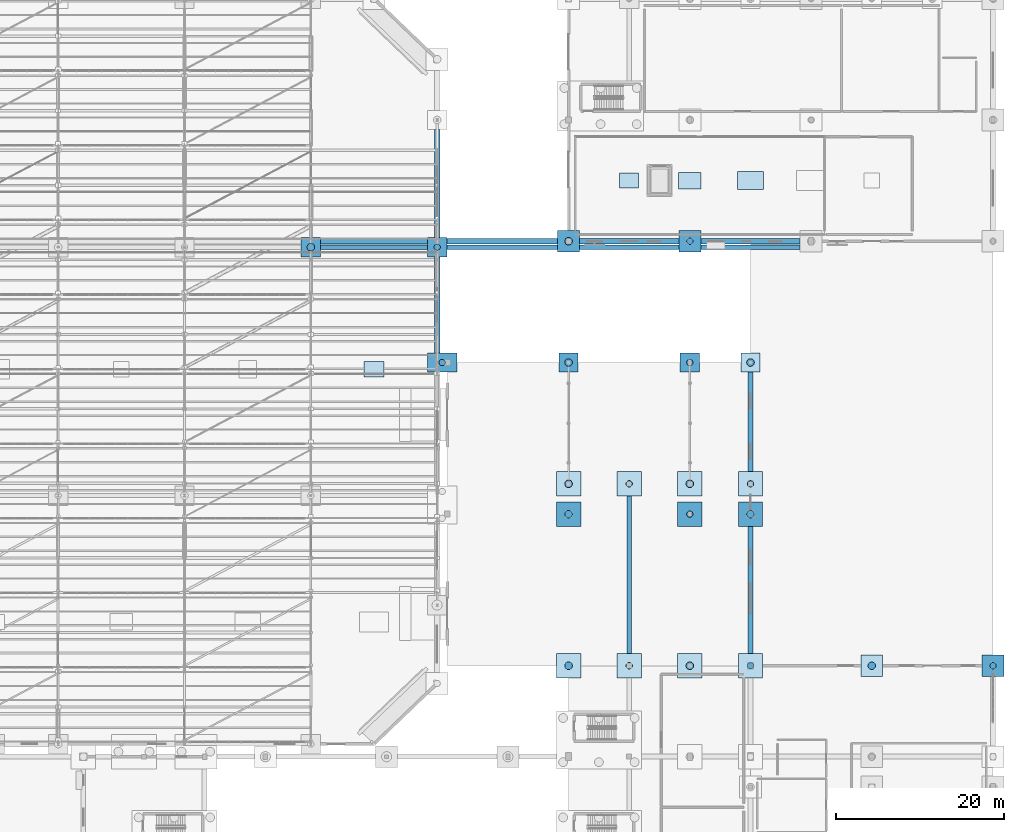
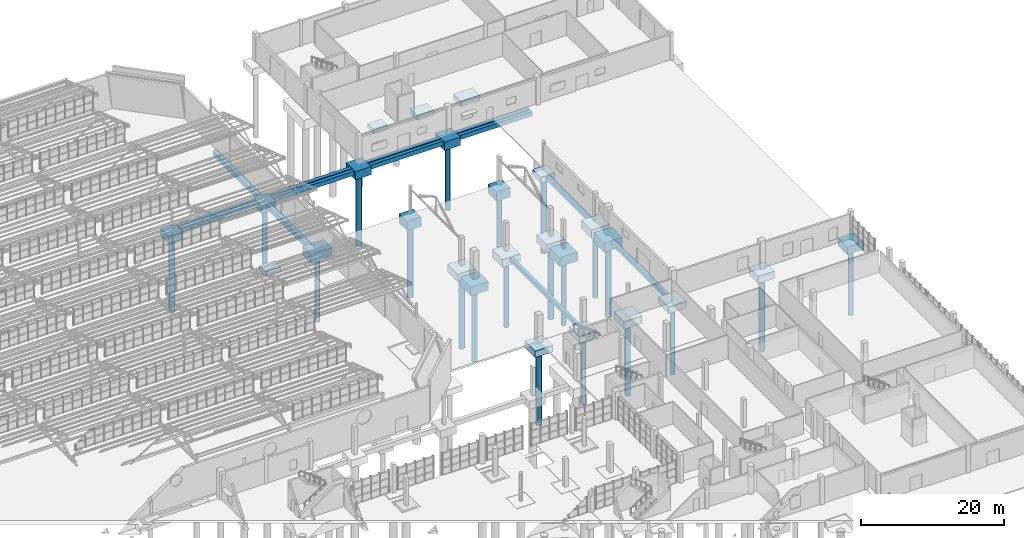
# One storey, part 9 of 285: 38 footings, 21 piles.
"""IFC4 building model written with IfcOpenShell, lengths in metres."""

from ifc_helpers import new_model, si_unit, direction, frame, origin, origin_2d, place, context, subcontext, project, spatial, polyline, circle, outline, extrude, material, material_profile, profile_set, type_object, element, save


model = new_model("IFC4")

# Units and contexts
model_context = context("Model", 3, precision=1e-05, world=origin(), true_north=direction((0.0, 1.0)))
body_context = subcontext(model_context, "Body", "Model", "MODEL_VIEW")
ifc_project = project(units=[si_unit("LENGTHUNIT", "METRE"), si_unit("AREAUNIT", "SQUARE_METRE"), si_unit("VOLUMEUNIT", "CUBIC_METRE"), si_unit("PLANEANGLEUNIT", "RADIAN"), si_unit("MASSUNIT", "GRAM", prefix="KILO")], contexts=[model_context])

# Site, building, storey
site_placement = place(None, origin())
site = spatial("IfcSite", under=ifc_project, at=site_placement, CompositionType="ELEMENT")
building_placement = place(site_placement, origin())
building = spatial("IfcBuilding", under=site, at=building_placement, Name="Solanera Park Tramway Depot", CompositionType="ELEMENT")
storey_placement = place(building_placement, origin())
storey = spatial("IfcBuildingStorey", under=building, at=storey_placement, Name="L00", CompositionType="ELEMENT", Elevation=0.0)

# Footings
ifc_material_1 = material(Name="Concrete N40 (C40/50)", Category="concrete")
footing_type_1 = type_object("IfcFootingType", Name="Bored Pile Cap PC-03 2900x2900x1100", PredefinedType="PILE_CAP", material=ifc_material_1)
footing_1_placement = place(storey_placement, frame((0.0, 0.0, -1.449951171875)))
element("IfcFooting", 1, at=footing_1_placement, inside=storey, type_object=footing_type_1, Name="Pile Cap PC-03 #128", PredefinedType="PILE_CAP", context=body_context, shape_type="SweptSolid", body=[
    extrude(outline(polyline([(167.050048828125, 63.35009765625), (167.050048828125, 66.25), (164.14990234375, 66.25), (164.14990234375, 63.35009765625), (167.050048828125, 63.35009765625)])), origin(), (0.0, 0.0, 1.0), 1.099853515625),
])
ifc_material_2 = material(Name="Concrete N40 (C40/50)", Category="concrete")
footing_type_2 = type_object("IfcFootingType", Name="Bored Pile Cap PC-04 3200x3200x1200", PredefinedType="PILE_CAP", material=ifc_material_2)
footing_2_placement = place(storey_placement, frame((0.0, 0.0, -1.550048828125)))
element("IfcFooting", 2, at=footing_2_placement, inside=storey, type_object=footing_type_2, Name="Pile Cap PC-04 #129", PredefinedType="PILE_CAP", context=body_context, shape_type="SweptSolid", body=[
    extrude(outline(polyline([(174.25, 63.35009765625), (174.25, 66.25), (171.35009765625, 66.25), (171.35009765625, 63.35009765625), (174.25, 63.35009765625)])), origin(), (0.0, 0.0, 1.0), 1.199951171875),
])
ifc_material_3 = material(Name="Concrete N40 (C40/50)", Category="concrete")
footing_type_3 = type_object("IfcFootingType", Name="Bored Pile Cap PC-05 3500x3500x1300", PredefinedType="PILE_CAP", material=ifc_material_3)
footing_3_placement = place(storey_placement, frame((0.0, 0.0, -1.64990234375)))
element("IfcFooting", 3, at=footing_3_placement, inside=storey, type_object=footing_type_3, Name="Pile Cap PC-05 #130", PredefinedType="PILE_CAP", context=body_context, shape_type="SweptSolid", body=[
    extrude(outline(polyline([(181.449951171875, 63.35009765625), (181.449951171875, 66.25), (178.550048828125, 66.25), (178.550048828125, 63.35009765625), (181.449951171875, 63.35009765625)])), origin(), (0.0, 0.0, 1.0), 1.2998046875),
])
ifc_material_4 = material(Name="Concrete N40 (C40/50)", Category="concrete")
footing_type_4 = type_object("IfcFootingType", Name="Bored Pile Cap PC-06 3800x2600x1150", PredefinedType="PILE_CAP", material=ifc_material_4)
footing_4_placement = place(storey_placement, frame((0.0, 0.0, -1.5)))
element("IfcFooting", 4, at=footing_4_placement, inside=storey, type_object=footing_type_4, Name="Pile Cap PC-06 #131", PredefinedType="PILE_CAP", context=body_context, shape_type="SweptSolid", body=[
    extrude(outline(polyline([(188.64990234375, 63.35009765625), (188.64990234375, 66.25), (185.75, 66.25), (185.75, 63.35009765625), (188.64990234375, 63.35009765625)])), origin(), (0.0, 0.0, 1.0), 1.14990234375),
])
ifc_material_5 = material(Name="Concrete N40 (C40/50)", Category="concrete")
footing_type_5 = type_object("IfcFootingType", Name="Bored Pile Cap PC-07 4200x2900x1250", PredefinedType="PILE_CAP", material=ifc_material_5)
footing_5_placement = place(storey_placement, frame((0.0, 0.0, -1.550048828125)))
element("IfcFooting", 5, at=footing_5_placement, inside=storey, type_object=footing_type_5, Name="Pile Cap PC-07 #132", PredefinedType="PILE_CAP", context=body_context, shape_type="SweptSolid", body=[
    extrude(outline(polyline([(202.89990234375, 63.5), (202.89990234375, 66.10009765625), (200.300048828125, 66.10009765625), (200.300048828125, 63.5), (202.89990234375, 63.5)])), origin(), (0.0, 0.0, 1.0), 1.25),
])
footing_6_placement = place(storey_placement, frame((0.0, 0.0, -1.574951171875)))
element("IfcFooting", 6, at=footing_6_placement, inside=storey, type_object=footing_type_5, Name="Pile Cap PC-07 #150", PredefinedType="PILE_CAP", context=body_context, shape_type="SweptSolid", body=[
    extrude(outline(polyline([(167.050048828125, 84.949951171875), (167.050048828125, 87.85009765625), (164.14990234375, 87.85009765625), (164.14990234375, 84.949951171875), (167.050048828125, 84.949951171875)])), origin(), (0.0, 0.0, 1.0), 1.25),
])
footing_7_placement = place(storey_placement, frame((0.0, 0.0, -1.699951171875)))
element("IfcFooting", 7, at=footing_7_placement, inside=storey, type_object=footing_type_5, Name="Pile Cap PC-07 #168", PredefinedType="PILE_CAP", context=body_context, shape_type="SweptSolid", body=[
    extrude(outline(polyline([(136.14990234375, 113.35009765625), (136.14990234375, 115.64990234375), (133.85009765625, 115.64990234375), (133.85009765625, 113.35009765625), (136.14990234375, 113.35009765625)])), origin(), (0.0, 0.0, 1.0), 1.25),
])
ifc_material_6 = material(Name="Concrete N40 (C40/50)", Category="concrete")
footing_type_6 = type_object("IfcFootingType", Name="Bored Pile Cap PC-08 4600x3200x1350", PredefinedType="PILE_CAP", material=ifc_material_6)
footing_8_placement = place(storey_placement, frame((0.0, 0.0, -1.64990234375)))
element("IfcFooting", 8, at=footing_8_placement, inside=storey, type_object=footing_type_6, Name="Pile Cap PC-08 #133", PredefinedType="PILE_CAP", context=body_context, shape_type="SweptSolid", body=[
    extrude(outline(polyline([(217.300048828125, 63.5), (217.300048828125, 66.10009765625), (214.699951171875, 66.10009765625), (214.699951171875, 63.5), (217.300048828125, 63.5)])), origin(), (0.0, 0.0, 1.0), 1.349853515625),
])
footing_9_placement = place(storey_placement, frame((0.0, 0.0, -1.675048828125)))
element("IfcFooting", 9, at=footing_9_placement, inside=storey, type_object=footing_type_6, Name="Pile Cap PC-08 #151", PredefinedType="PILE_CAP", context=body_context, shape_type="SweptSolid", body=[
    extrude(outline(polyline([(174.25, 84.949951171875), (174.25, 87.85009765625), (171.35009765625, 87.85009765625), (171.35009765625, 84.949951171875), (174.25, 84.949951171875)])), origin(), (0.0, 0.0, 1.0), 1.35009765625),
])
footing_10_placement = place(storey_placement, frame((0.0, 0.0, -1.800048828125)))
element("IfcFooting", 10, at=footing_10_placement, inside=storey, type_object=footing_type_6, Name="Pile Cap PC-08 #169", PredefinedType="PILE_CAP", context=body_context, shape_type="SweptSolid", body=[
    extrude(outline(polyline([(151.14990234375, 113.35009765625), (151.14990234375, 115.64990234375), (148.85009765625, 115.64990234375), (148.85009765625, 113.35009765625), (151.14990234375, 113.35009765625)])), origin(), (0.0, 0.0, 1.0), 1.35009765625),
])
ifc_material_7 = material(Name="Concrete N40 (C40/50)", Category="concrete")
footing_type_7 = type_object("IfcFootingType", Name="Bored Pile Cap PC-09 5200x3400x1400", PredefinedType="PILE_CAP", material=ifc_material_7)
footing_11_placement = place(storey_placement, frame((0.0, 0.0, -1.72509765625)))
element("IfcFooting", 11, at=footing_11_placement, inside=storey, type_object=footing_type_7, Name="Pile Cap PC-09 #152", PredefinedType="PILE_CAP", context=body_context, shape_type="SweptSolid", body=[
    extrude(outline(polyline([(181.449951171875, 84.949951171875), (181.449951171875, 87.85009765625), (178.550048828125, 87.85009765625), (178.550048828125, 84.949951171875), (181.449951171875, 84.949951171875)])), origin(), (0.0, 0.0, 1.0), 1.400146484375),
])
footing_12_placement = place(storey_placement, frame((0.0, 0.0, -1.77490234375)))
element("IfcFooting", 12, at=footing_12_placement, inside=storey, type_object=footing_type_7, Name="Pile Cap PC-09 #170", PredefinedType="PILE_CAP", context=body_context, shape_type="SweptSolid", body=[
    extrude(outline(polyline([(166.89990234375, 113.89990234375), (166.89990234375, 116.5), (164.300048828125, 116.5), (164.300048828125, 113.89990234375), (166.89990234375, 113.89990234375)])), origin(), (0.0, 0.0, 1.0), 1.39990234375),
])
ifc_material_8 = material(Name="Concrete N40 (C40/50)", Category="concrete")
footing_type_8 = type_object("IfcFootingType", Name="Bored Pile Cap PC-10 5800x3800x1450", PredefinedType="PILE_CAP", material=ifc_material_8)
footing_13_placement = place(storey_placement, frame((0.0, 0.0, -1.77490234375)))
element("IfcFooting", 13, at=footing_13_placement, inside=storey, type_object=footing_type_8, Name="Pile Cap PC-10 #153", PredefinedType="PILE_CAP", context=body_context, shape_type="SweptSolid", body=[
    extrude(outline(polyline([(188.64990234375, 84.949951171875), (188.64990234375, 87.85009765625), (185.75, 87.85009765625), (185.75, 84.949951171875), (188.64990234375, 84.949951171875)])), origin(), (0.0, 0.0, 1.0), 1.449951171875),
])
footing_14_placement = place(storey_placement, frame((0.0, 0.0, -1.824951171875)))
element("IfcFooting", 14, at=footing_14_placement, inside=storey, type_object=footing_type_8, Name="Pile Cap PC-10 #171", PredefinedType="PILE_CAP", context=body_context, shape_type="SweptSolid", body=[
    extrude(outline(polyline([(181.300048828125, 113.89990234375), (181.300048828125, 116.5), (178.699951171875, 116.5), (178.699951171875, 113.89990234375), (181.300048828125, 113.89990234375)])), origin(), (0.0, 0.0, 1.0), 1.449951171875),
])
ifc_material_9 = material(Name="Concrete N40 (C40/50)", Category="concrete")
footing_type_9 = type_object("IfcFootingType", Name="Bored Pile Cap PC-11 6500x4200x1500", PredefinedType="PILE_CAP", material=ifc_material_9)
footing_15_placement = place(storey_placement, frame((0.0, 0.0, -1.824951171875)))
element("IfcFooting", 15, at=footing_15_placement, inside=storey, type_object=footing_type_9, Name="Pile Cap PC-11 #136", PredefinedType="PILE_CAP", context=body_context, shape_type="SweptSolid", body=[
    extrude(outline(polyline([(167.050048828125, 81.35009765625), (167.050048828125, 84.25), (164.14990234375, 84.25), (164.14990234375, 81.35009765625), (167.050048828125, 81.35009765625)])), origin(), (0.0, 0.0, 1.0), 1.5),
])
ifc_material_10 = material(Name="Concrete N40 (C40/50)", Category="concrete")
footing_type_10 = type_object("IfcFootingType", Name="Bored Pile Cap PC-12 7400x4500x1550", PredefinedType="PILE_CAP", material=ifc_material_10)
footing_16_placement = place(storey_placement, frame((0.0, 0.0, -1.875)))
element("IfcFooting", 16, at=footing_16_placement, inside=storey, type_object=footing_type_10, Name="Pile Cap PC-12 #137", PredefinedType="PILE_CAP", context=body_context, shape_type="SweptSolid", body=[
    extrude(outline(polyline([(181.449951171875, 81.35009765625), (181.449951171875, 84.25), (178.550048828125, 84.25), (178.550048828125, 81.35009765625), (181.449951171875, 81.35009765625)])), origin(), (0.0, 0.0, 1.0), 1.550048828125),
])
footing_17_placement = place(storey_placement, frame((0.0, 0.0, -2.0)))
element("IfcFooting", 17, at=footing_17_placement, inside=storey, type_object=footing_type_10, Name="Pile Cap PC-12 #155", PredefinedType="PILE_CAP", context=body_context, shape_type="SweptSolid", body=[
    extrude(outline(polyline([(152.35009765625, 99.64990234375), (152.35009765625, 101.949951171875), (148.85009765625, 101.949951171875), (148.85009765625, 99.64990234375), (152.35009765625, 99.64990234375)])), origin(), (0.0, 0.0, 1.0), 1.550048828125),
])
ifc_material_11 = material(Name="Concrete N40 (C40/50)", Category="concrete")
footing_type_11 = type_object("IfcFootingType", Name="Bored Pile Cap PC-13 8400x4800x1600", PredefinedType="PILE_CAP", material=ifc_material_11)
footing_18_placement = place(storey_placement, frame((0.0, 0.0, -1.925048828125)))
element("IfcFooting", 18, at=footing_18_placement, inside=storey, type_object=footing_type_11, Name="Pile Cap PC-13 #138", PredefinedType="PILE_CAP", context=body_context, shape_type="SweptSolid", body=[
    extrude(outline(polyline([(188.64990234375, 81.35009765625), (188.64990234375, 84.25), (185.75, 84.25), (185.75, 81.35009765625), (188.64990234375, 81.35009765625)])), origin(), (0.0, 0.0, 1.0), 1.60009765625),
])
footing_19_placement = place(storey_placement, frame((0.0, 0.0, -1.925048828125)))
element("IfcFooting", 19, at=footing_19_placement, inside=storey, type_object=footing_type_11, Name="Pile Cap PC-13 #156", PredefinedType="PILE_CAP", context=body_context, shape_type="SweptSolid", body=[
    extrude(outline(polyline([(166.75, 99.64990234375), (166.75, 101.949951171875), (164.449951171875, 101.949951171875), (164.449951171875, 99.64990234375), (166.75, 99.64990234375)])), origin(), (0.0, 0.0, 1.0), 1.60009765625),
])
ifc_material_12 = material(Name="Concrete N40 (C40/50)", Category="concrete")
footing_type_12 = type_object("IfcFootingType", Name="Bored Pile Cap PC-14 9600x5200x1600", PredefinedType="PILE_CAP", material=ifc_material_12)
footing_20_placement = place(storey_placement, frame((0.0, 0.0, -1.925048828125)))
element("IfcFooting", 20, at=footing_20_placement, inside=storey, type_object=footing_type_12, Name="Pile Cap PC-14 #157", PredefinedType="PILE_CAP", context=body_context, shape_type="SweptSolid", body=[
    extrude(outline(polyline([(181.14990234375, 99.64990234375), (181.14990234375, 101.949951171875), (178.85009765625, 101.949951171875), (178.85009765625, 99.64990234375), (181.14990234375, 99.64990234375)])), origin(), (0.0, 0.0, 1.0), 1.60009765625),
])
ifc_material_13 = material(Name="Concrete N40 (C40/50)", Category="concrete")
footing_type_13 = type_object("IfcFootingType", Name="Bored Pile Cap PC-15 2750x2750x1050", PredefinedType="PILE_CAP", material=ifc_material_13)
footing_21_placement = place(storey_placement, frame((0.0, 0.0, -1.375)))
element("IfcFooting", 21, at=footing_21_placement, inside=storey, type_object=footing_type_13, Name="Pile Cap PC-15 #158", PredefinedType="PILE_CAP", context=body_context, shape_type="SweptSolid", body=[
    extrude(outline(polyline([(188.35009765625, 99.64990234375), (188.35009765625, 101.949951171875), (186.050048828125, 101.949951171875), (186.050048828125, 99.64990234375), (188.35009765625, 99.64990234375)])), origin(), (0.0, 0.0, 1.0), 1.050048828125),
])
ifc_material_14 = material(Name="Concrete N40 (C40/50)", Category="concrete")
footing_type_14 = type_object("IfcFootingType", Name="Equipment Pad Footing PF-03 2400x1800x800", PredefinedType="PAD_FOOTING", material=ifc_material_14)
footing_22_placement = place(storey_placement, frame((0.0, 0.0, -1.25)))
element("IfcFooting", 22, at=footing_22_placement, inside=storey, type_object=footing_type_14, Name="Equipment Pad Footing PF-03 #020", PredefinedType="PAD_FOOTING", context=body_context, shape_type="SweptSolid", body=[
    extrude(outline(polyline([(143.699951171875, 99.10009765625), (143.699951171875, 100.89990234375), (141.300048828125, 100.89990234375), (141.300048828125, 99.10009765625), (143.699951171875, 99.10009765625)])), origin(), (0.0, 0.0, 1.0), 0.800048828125),
])
ifc_material_15 = material(Name="Concrete N40 (C40/50)", Category="concrete")
footing_type_15 = type_object("IfcFootingType", Name="Equipment Pad Footing PF-07 2250x1750x720", PredefinedType="PAD_FOOTING", material=ifc_material_15)
footing_23_placement = place(storey_placement, frame((0.0, 0.0, -1.094970703125)))
element("IfcFooting", 23, at=footing_23_placement, inside=storey, type_object=footing_type_15, Name="Equipment Pad Footing PF-07 #021", PredefinedType="PAD_FOOTING", context=body_context, shape_type="SweptSolid", body=[
    extrude(outline(polyline([(173.925048828125, 121.52490234375), (173.925048828125, 123.27490234375), (171.675048828125, 123.27490234375), (171.675048828125, 121.52490234375), (173.925048828125, 121.52490234375)])), origin(), (0.0, 0.0, 1.0), 0.719970703125),
])
ifc_material_16 = material(Name="Concrete N40 (C40/50)", Category="concrete")
footing_type_16 = type_object("IfcFootingType", Name="Equipment Pad Footing PF-08 2650x1950x820", PredefinedType="PAD_FOOTING", material=ifc_material_16)
footing_24_placement = place(storey_placement, frame((0.0, 0.0, -1.195068359375)))
element("IfcFooting", 24, at=footing_24_placement, inside=storey, type_object=footing_type_16, Name="Equipment Pad Footing PF-08 #022", PredefinedType="PAD_FOOTING", context=body_context, shape_type="SweptSolid", body=[
    extrude(outline(polyline([(181.324951171875, 121.425048828125), (181.324951171875, 123.375), (178.675048828125, 123.375), (178.675048828125, 121.425048828125), (181.324951171875, 121.425048828125)])), origin(), (0.0, 0.0, 1.0), 0.820068359375),
])
ifc_material_17 = material(Name="Concrete N40 (C40/50)", Category="concrete")
footing_type_17 = type_object("IfcFootingType", Name="Equipment Pad Footing PF-09 3050x2150x880", PredefinedType="PAD_FOOTING", material=ifc_material_17)
footing_25_placement = place(storey_placement, frame((0.0, 0.0, -1.2548828125)))
element("IfcFooting", 25, at=footing_25_placement, inside=storey, type_object=footing_type_17, Name="Equipment Pad Footing PF-09 #023", PredefinedType="PAD_FOOTING", context=body_context, shape_type="SweptSolid", body=[
    extrude(outline(polyline([(188.72509765625, 121.324951171875), (188.72509765625, 123.47509765625), (185.675048828125, 123.47509765625), (185.675048828125, 121.324951171875), (188.72509765625, 121.324951171875)])), origin(), (0.0, 0.0, 1.0), 0.8798828125),
])
ifc_material_18 = material(Name="Concrete N40 (C40/50)", Category="concrete")
footing_type_18 = type_object("IfcFootingType", Name="Ground Tie Beam GB-01 500x700", PredefinedType="FOOTING_BEAM", material=ifc_material_18)
footing_26_placement = place(storey_placement, frame((0.0, 0.0, -1.050048828125)))
element("IfcFooting", 26, at=footing_26_placement, inside=storey, type_object=footing_type_18, Name="Ground Tie Beam GB-01 #139", PredefinedType="FOOTING_BEAM", context=body_context, shape_type="SweptSolid", body=[
    extrude(outline(polyline([(173.050048828125, 66.25), (173.050048828125, 84.949951171875), (172.550048828125, 84.949951171875), (172.550048828125, 66.25), (173.050048828125, 66.25)])), origin(), (0.0, 0.0, 1.0), 0.699951171875),
])
ifc_material_19 = material(Name="Concrete N40 (C40/50)", Category="concrete")
footing_type_19 = type_object("IfcFootingType", Name="Ground Tie Beam GB-02 550x750", PredefinedType="FOOTING_BEAM", material=ifc_material_19)
footing_27_placement = place(storey_placement, frame((0.0, 0.0, -1.199951171875)))
element("IfcFooting", 27, at=footing_27_placement, inside=storey, type_object=footing_type_19, Name="Ground Tie Beam GB-02 #074", PredefinedType="FOOTING_BEAM", context=body_context, shape_type="SweptSolid", body=[
    extrude(outline(polyline([(148.85009765625, 114.22509765625), (148.85009765625, 114.77490234375), (136.14990234375, 114.77490234375), (136.14990234375, 114.22509765625), (148.85009765625, 114.22509765625)])), origin(), (0.0, 0.0, 1.0), 0.75),
])
footing_28_placement = place(storey_placement, frame((0.0, 0.0, -1.199951171875)))
element("IfcFooting", 28, at=footing_28_placement, inside=storey, type_object=footing_type_19, Name="Ground Tie Beam GB-02 #075", PredefinedType="FOOTING_BEAM", context=body_context, shape_type="SweptSolid", body=[
    extrude(outline(polyline([(164.300048828125, 114.22509765625), (164.300048828125, 114.77490234375), (151.14990234375, 114.77490234375), (151.14990234375, 114.22509765625), (164.300048828125, 114.22509765625)])), origin(), (0.0, 0.0, 1.0), 0.75),
])
footing_29_placement = place(storey_placement, frame((0.0, 0.0, -1.125)))
element("IfcFooting", 29, at=footing_29_placement, inside=storey, type_object=footing_type_19, Name="Ground Tie Beam GB-02 #076", PredefinedType="FOOTING_BEAM", context=body_context, shape_type="SweptSolid", body=[
    extrude(outline(polyline([(178.699951171875, 114.22509765625), (178.699951171875, 114.77490234375), (166.89990234375, 114.77490234375), (166.89990234375, 114.22509765625), (178.699951171875, 114.22509765625)])), origin(), (0.0, 0.0, 1.0), 0.75),
])
footing_30_placement = place(storey_placement, frame((0.0, 0.0, -1.125)))
element("IfcFooting", 30, at=footing_30_placement, inside=storey, type_object=footing_type_19, Name="Ground Tie Beam GB-02 #077", PredefinedType="FOOTING_BEAM", context=body_context, shape_type="SweptSolid", body=[
    extrude(outline(polyline([(193.10009765625, 114.22509765625), (193.10009765625, 114.77490234375), (181.300048828125, 114.77490234375), (181.300048828125, 114.22509765625), (193.10009765625, 114.22509765625)])), origin(), (0.0, 0.0, 1.0), 0.75),
])
footing_31_placement = place(storey_placement, frame((0.0, 0.0, -1.10009765625)))
element("IfcFooting", 31, at=footing_31_placement, inside=storey, type_object=footing_type_19, Name="Ground Tie Beam GB-02 #147", PredefinedType="FOOTING_BEAM", context=body_context, shape_type="SweptSolid", body=[
    extrude(outline(polyline([(187.47509765625, 66.25), (187.47509765625, 81.35009765625), (186.925048828125, 81.35009765625), (186.925048828125, 66.25), (187.47509765625, 66.25)])), origin(), (0.0, 0.0, 1.0), 0.75),
])
footing_32_placement = place(storey_placement, frame((0.0, 0.0, -1.074951171875)))
element("IfcFooting", 32, at=footing_32_placement, inside=storey, type_object=footing_type_19, Name="Ground Tie Beam GB-02 #148", PredefinedType="FOOTING_BEAM", context=body_context, shape_type="SweptSolid", body=[
    extrude(outline(polyline([(187.47509765625, 87.85009765625), (187.47509765625, 99.64990234375), (186.925048828125, 99.64990234375), (186.925048828125, 87.85009765625), (187.47509765625, 87.85009765625)])), origin(), (0.0, 0.0, 1.0), 0.75),
])
ifc_material_20 = material(Name="Concrete N40 (C40/50)", Category="concrete")
footing_type_20 = type_object("IfcFootingType", Name="Ground Tie Beam GB-03 600x800", PredefinedType="FOOTING_BEAM", material=ifc_material_20)
footing_33_placement = place(storey_placement, frame((0.0, 0.0, -1.25)))
element("IfcFooting", 33, at=footing_33_placement, inside=storey, type_object=footing_type_20, Name="Ground Tie Beam GB-03 #087", PredefinedType="FOOTING_BEAM", context=body_context, shape_type="SweptSolid", body=[
    extrude(outline(polyline([(148.85009765625, 114.89990234375), (148.85009765625, 115.5), (136.14990234375, 115.5), (136.14990234375, 114.89990234375), (148.85009765625, 114.89990234375)])), origin(), (0.0, 0.0, 1.0), 0.800048828125),
])
footing_34_placement = place(storey_placement, frame((0.0, 0.0, -1.25)))
element("IfcFooting", 34, at=footing_34_placement, inside=storey, type_object=footing_type_20, Name="Ground Tie Beam GB-03 #088", PredefinedType="FOOTING_BEAM", context=body_context, shape_type="SweptSolid", body=[
    extrude(outline(polyline([(164.300048828125, 114.89990234375), (164.300048828125, 115.5), (151.14990234375, 115.5), (151.14990234375, 114.89990234375), (164.300048828125, 114.89990234375)])), origin(), (0.0, 0.0, 1.0), 0.800048828125),
])
footing_35_placement = place(storey_placement, frame((0.0, 0.0, -1.175048828125)))
element("IfcFooting", 35, at=footing_35_placement, inside=storey, type_object=footing_type_20, Name="Ground Tie Beam GB-03 #089", PredefinedType="FOOTING_BEAM", context=body_context, shape_type="SweptSolid", body=[
    extrude(outline(polyline([(178.699951171875, 114.89990234375), (178.699951171875, 115.5), (166.89990234375, 115.5), (166.89990234375, 114.89990234375), (178.699951171875, 114.89990234375)])), origin(), (0.0, 0.0, 1.0), 0.800048828125),
])
footing_36_placement = place(storey_placement, frame((0.0, 0.0, -1.175048828125)))
element("IfcFooting", 36, at=footing_36_placement, inside=storey, type_object=footing_type_20, Name="Ground Tie Beam GB-03 #090", PredefinedType="FOOTING_BEAM", context=body_context, shape_type="SweptSolid", body=[
    extrude(outline(polyline([(193.10009765625, 114.89990234375), (193.10009765625, 115.5), (181.300048828125, 115.5), (181.300048828125, 114.89990234375), (193.10009765625, 114.89990234375)])), origin(), (0.0, 0.0, 1.0), 0.800048828125),
])
ifc_material_21 = material(Name="Concrete N40 (C40/50)", Category="concrete")
footing_type_21 = type_object("IfcFootingType", Name="Ground Tie Beam GB-04 650x850", PredefinedType="FOOTING_BEAM", material=ifc_material_21)
footing_37_placement = place(storey_placement, frame((0.0, 0.0, -1.300048828125)))
element("IfcFooting", 37, at=footing_37_placement, inside=storey, type_object=footing_type_21, Name="Ground Tie Beam GB-04 #131", PredefinedType="FOOTING_BEAM", context=body_context, shape_type="SweptSolid", body=[
    extrude(outline(polyline([(150.324951171875, 101.949951171875), (150.324951171875, 113.35009765625), (149.675048828125, 113.35009765625), (149.675048828125, 101.949951171875), (150.324951171875, 101.949951171875)])), origin(), (0.0, 0.0, 1.0), 0.85009765625),
])
footing_38_placement = place(storey_placement, frame((0.0, 0.0, -1.300048828125)))
element("IfcFooting", 38, at=footing_38_placement, inside=storey, type_object=footing_type_21, Name="Ground Tie Beam GB-04 #132", PredefinedType="FOOTING_BEAM", context=body_context, shape_type="SweptSolid", body=[
    extrude(outline(polyline([(150.324951171875, 115.64990234375), (150.324951171875, 128.449951171875), (149.675048828125, 128.449951171875), (149.675048828125, 115.64990234375), (150.324951171875, 115.64990234375)])), origin(), (0.0, 0.0, 1.0), 0.85009765625),
])

# Piles
ifc_material_22 = material(Name="Concrete N40 (C40/50)", Category="concrete")
ifc_material_profile_1 = material_profile(ifc_material_22, circle(Radius=0.375, at=origin_2d()), Name="BORED PILE 750")
ifc_profile_set_1 = profile_set([ifc_material_profile_1], Name="Concrete N40 (C40/50)")
pile_type_1 = type_object("IfcPileType", Name="Rock Socketed BORED PILE 750", PredefinedType="BORED", material=ifc_profile_set_1)
pile_1_placement = place(storey_placement, frame((172.800048828125, 64.800048828125, -1.449951171875), z_axis=(0.0, 0.0, -1.0), x_axis=(1.0, 0.0, 0.0)))
element("IfcPile", 39, at=pile_1_placement, inside=storey, type_object=pile_type_1, Name="Bored Pile BORED PILE 750 #0172", PredefinedType="BORED", context=body_context, shape_type="SweptSolid", body=[
    extrude(circle(Radius=0.375, at=origin_2d()), origin(), (0.0, 0.0, 1.0), 11.64990234375),
])
pile_2_placement = place(storey_placement, frame((187.199951171875, 64.800048828125, -1.39990234375), z_axis=(0.0, 0.0, -1.0), x_axis=(1.0, 0.0, 0.0)))
element("IfcPile", 40, at=pile_2_placement, inside=storey, type_object=pile_type_1, Name="Bored Pile BORED PILE 750 #0174", PredefinedType="BORED", context=body_context, shape_type="SweptSolid", body=[
    extrude(circle(Radius=0.375, at=origin_2d()), origin(), (0.0, 0.0, 1.0), 11.699951171875),
])
pile_3_placement = place(storey_placement, frame((216.0, 64.800048828125, -1.550048828125), z_axis=(0.0, 0.0, -1.0), x_axis=(1.0, 0.0, 0.0)))
element("IfcPile", 41, at=pile_3_placement, inside=storey, type_object=pile_type_1, Name="Bored Pile BORED PILE 750 #0176", PredefinedType="BORED", context=body_context, shape_type="SweptSolid", body=[
    extrude(circle(Radius=0.375, at=origin_2d()), origin(), (0.0, 0.0, 1.0), 11.550048828125),
])
pile_4_placement = place(storey_placement, frame((180.0, 82.800048828125, -1.77490234375), z_axis=(0.0, 0.0, -1.0), x_axis=(1.0, 0.0, 0.0)))
element("IfcPile", 42, at=pile_4_placement, inside=storey, type_object=pile_type_1, Name="Bored Pile BORED PILE 750 #0180", PredefinedType="BORED", context=body_context, shape_type="SweptSolid", body=[
    extrude(circle(Radius=0.375, at=origin_2d()), origin(), (0.0, 0.0, 1.0), 11.324951171875),
])
pile_5_placement = place(storey_placement, frame((172.800048828125, 86.39990234375, -1.574951171875), z_axis=(0.0, 0.0, -1.0), x_axis=(1.0, 0.0, 0.0)))
element("IfcPile", 43, at=pile_5_placement, inside=storey, type_object=pile_type_1, Name="Bored Pile BORED PILE 750 #0195", PredefinedType="BORED", context=body_context, shape_type="SweptSolid", body=[
    extrude(circle(Radius=0.375, at=origin_2d()), origin(), (0.0, 0.0, 1.0), 11.52490234375),
])
pile_6_placement = place(storey_placement, frame((187.199951171875, 86.39990234375, -1.675048828125), z_axis=(0.0, 0.0, -1.0), x_axis=(1.0, 0.0, 0.0)))
element("IfcPile", 44, at=pile_6_placement, inside=storey, type_object=pile_type_1, Name="Bored Pile BORED PILE 750 #0197", PredefinedType="BORED", context=body_context, shape_type="SweptSolid", body=[
    extrude(circle(Radius=0.375, at=origin_2d()), origin(), (0.0, 0.0, 1.0), 11.425048828125),
])
pile_7_placement = place(storey_placement, frame((150.60009765625, 100.800048828125, -1.89990234375), z_axis=(0.0, 0.0, -1.0), x_axis=(1.0, 0.0, 0.0)))
element("IfcPile", 45, at=pile_7_placement, inside=storey, type_object=pile_type_1, Name="Bored Pile BORED PILE 750 #0199", PredefinedType="BORED", context=body_context, shape_type="SweptSolid", body=[
    extrude(circle(Radius=0.375, at=origin_2d()), origin(), (0.0, 0.0, 1.0), 11.199951171875),
])
pile_8_placement = place(storey_placement, frame((180.0, 100.800048828125, -1.824951171875), z_axis=(0.0, 0.0, -1.0), x_axis=(1.0, 0.0, 0.0)))
element("IfcPile", 46, at=pile_8_placement, inside=storey, type_object=pile_type_1, Name="Bored Pile BORED PILE 750 #0201", PredefinedType="BORED", context=body_context, shape_type="SweptSolid", body=[
    extrude(circle(Radius=0.375, at=origin_2d()), origin(), (0.0, 0.0, 1.0), 11.27490234375),
])
pile_9_placement = place(storey_placement, frame((150.0, 114.5, -1.699951171875), z_axis=(0.0, 0.0, -1.0), x_axis=(1.0, 0.0, 0.0)))
element("IfcPile", 47, at=pile_9_placement, inside=storey, type_object=pile_type_1, Name="Bored Pile BORED PILE 750 #0213", PredefinedType="BORED", context=body_context, shape_type="SweptSolid", body=[
    extrude(circle(Radius=0.375, at=origin_2d()), origin(), (0.0, 0.0, 1.0), 11.39990234375),
])
pile_10_placement = place(storey_placement, frame((180.0, 115.199951171875, -1.72509765625), z_axis=(0.0, 0.0, -1.0), x_axis=(1.0, 0.0, 0.0)))
element("IfcPile", 48, at=pile_10_placement, inside=storey, type_object=pile_type_1, Name="Bored Pile BORED PILE 750 #0215", PredefinedType="BORED", context=body_context, shape_type="SweptSolid", body=[
    extrude(circle(Radius=0.375, at=origin_2d()), origin(), (0.0, 0.0, 1.0), 11.375),
])
ifc_material_23 = material(Name="Concrete N40 (C40/50)", Category="concrete")
ifc_material_profile_2 = material_profile(ifc_material_23, circle(Radius=0.449951171875, at=origin_2d()), Name="BORED PILE 900")
ifc_profile_set_2 = profile_set([ifc_material_profile_2], Name="Concrete N40 (C40/50)")
pile_type_2 = type_object("IfcPileType", Name="Rock Socketed BORED PILE 900", PredefinedType="BORED", material=ifc_profile_set_2)
pile_11_placement = place(storey_placement, frame((165.60009765625, 64.800048828125, -1.35009765625), z_axis=(0.0, 0.0, -1.0), x_axis=(1.0, 0.0, 0.0)))
element("IfcPile", 49, at=pile_11_placement, inside=storey, type_object=pile_type_2, Name="Bored Pile BORED PILE 900 #0171", PredefinedType="BORED", context=body_context, shape_type="SweptSolid", body=[
    extrude(circle(Radius=0.449951171875, at=origin_2d()), origin(), (0.0, 0.0, 1.0), 12.85009765625),
])
pile_12_placement = place(storey_placement, frame((180.0, 64.800048828125, -1.550048828125), z_axis=(0.0, 0.0, -1.0), x_axis=(1.0, 0.0, 0.0)))
element("IfcPile", 50, at=pile_12_placement, inside=storey, type_object=pile_type_2, Name="Bored Pile BORED PILE 900 #0173", PredefinedType="BORED", context=body_context, shape_type="SweptSolid", body=[
    extrude(circle(Radius=0.449951171875, at=origin_2d()), origin(), (0.0, 0.0, 1.0), 12.64990234375),
])
pile_13_placement = place(storey_placement, frame((201.60009765625, 64.800048828125, -1.449951171875), z_axis=(0.0, 0.0, -1.0), x_axis=(1.0, 0.0, 0.0)))
element("IfcPile", 51, at=pile_13_placement, inside=storey, type_object=pile_type_2, Name="Bored Pile BORED PILE 900 #0175", PredefinedType="BORED", context=body_context, shape_type="SweptSolid", body=[
    extrude(circle(Radius=0.449951171875, at=origin_2d()), origin(), (0.0, 0.0, 1.0), 12.75),
])
pile_14_placement = place(storey_placement, frame((165.60009765625, 82.800048828125, -1.72509765625), z_axis=(0.0, 0.0, -1.0), x_axis=(1.0, 0.0, 0.0)))
element("IfcPile", 52, at=pile_14_placement, inside=storey, type_object=pile_type_2, Name="Bored Pile BORED PILE 900 #0179", PredefinedType="BORED", context=body_context, shape_type="SweptSolid", body=[
    extrude(circle(Radius=0.449951171875, at=origin_2d()), origin(), (0.0, 0.0, 1.0), 12.47509765625),
])
pile_15_placement = place(storey_placement, frame((187.199951171875, 82.800048828125, -1.824951171875), z_axis=(0.0, 0.0, -1.0), x_axis=(1.0, 0.0, 0.0)))
element("IfcPile", 53, at=pile_15_placement, inside=storey, type_object=pile_type_2, Name="Bored Pile BORED PILE 900 #0181", PredefinedType="BORED", context=body_context, shape_type="SweptSolid", body=[
    extrude(circle(Radius=0.449951171875, at=origin_2d()), origin(), (0.0, 0.0, 1.0), 12.375),
])
pile_16_placement = place(storey_placement, frame((165.60009765625, 86.39990234375, -1.47509765625), z_axis=(0.0, 0.0, -1.0), x_axis=(1.0, 0.0, 0.0)))
element("IfcPile", 54, at=pile_16_placement, inside=storey, type_object=pile_type_2, Name="Bored Pile BORED PILE 900 #0194", PredefinedType="BORED", context=body_context, shape_type="SweptSolid", body=[
    extrude(circle(Radius=0.449951171875, at=origin_2d()), origin(), (0.0, 0.0, 1.0), 12.72509765625),
])
pile_17_placement = place(storey_placement, frame((180.0, 86.39990234375, -1.625), z_axis=(0.0, 0.0, -1.0), x_axis=(1.0, 0.0, 0.0)))
element("IfcPile", 55, at=pile_17_placement, inside=storey, type_object=pile_type_2, Name="Bored Pile BORED PILE 900 #0196", PredefinedType="BORED", context=body_context, shape_type="SweptSolid", body=[
    extrude(circle(Radius=0.449951171875, at=origin_2d()), origin(), (0.0, 0.0, 1.0), 12.574951171875),
])
pile_18_placement = place(storey_placement, frame((165.60009765625, 100.800048828125, -1.824951171875), z_axis=(0.0, 0.0, -1.0), x_axis=(1.0, 0.0, 0.0)))
element("IfcPile", 56, at=pile_18_placement, inside=storey, type_object=pile_type_2, Name="Bored Pile BORED PILE 900 #0200", PredefinedType="BORED", context=body_context, shape_type="SweptSolid", body=[
    extrude(circle(Radius=0.449951171875, at=origin_2d()), origin(), (0.0, 0.0, 1.0), 12.375),
])
pile_19_placement = place(storey_placement, frame((187.199951171875, 100.800048828125, -1.27490234375), z_axis=(0.0, 0.0, -1.0), x_axis=(1.0, 0.0, 0.0)))
element("IfcPile", 57, at=pile_19_placement, inside=storey, type_object=pile_type_2, Name="Bored Pile BORED PILE 900 #0202", PredefinedType="BORED", context=body_context, shape_type="SweptSolid", body=[
    extrude(circle(Radius=0.449951171875, at=origin_2d()), origin(), (0.0, 0.0, 1.0), 12.925048828125),
])
pile_20_placement = place(storey_placement, frame((135.0, 114.5, -1.60009765625), z_axis=(0.0, 0.0, -1.0), x_axis=(1.0, 0.0, 0.0)))
element("IfcPile", 58, at=pile_20_placement, inside=storey, type_object=pile_type_2, Name="Bored Pile BORED PILE 900 #0212", PredefinedType="BORED", context=body_context, shape_type="SweptSolid", body=[
    extrude(circle(Radius=0.449951171875, at=origin_2d()), origin(), (0.0, 0.0, 1.0), 12.60009765625),
])
pile_21_placement = place(storey_placement, frame((165.60009765625, 115.199951171875, -1.675048828125), z_axis=(0.0, 0.0, -1.0), x_axis=(1.0, 0.0, 0.0)))
element("IfcPile", 59, at=pile_21_placement, inside=storey, type_object=pile_type_2, Name="Bored Pile BORED PILE 900 #0214", PredefinedType="BORED", context=body_context, shape_type="SweptSolid", body=[
    extrude(circle(Radius=0.449951171875, at=origin_2d()), origin(), (0.0, 0.0, 1.0), 12.52490234375),
])

save(model, "model.ifc")
